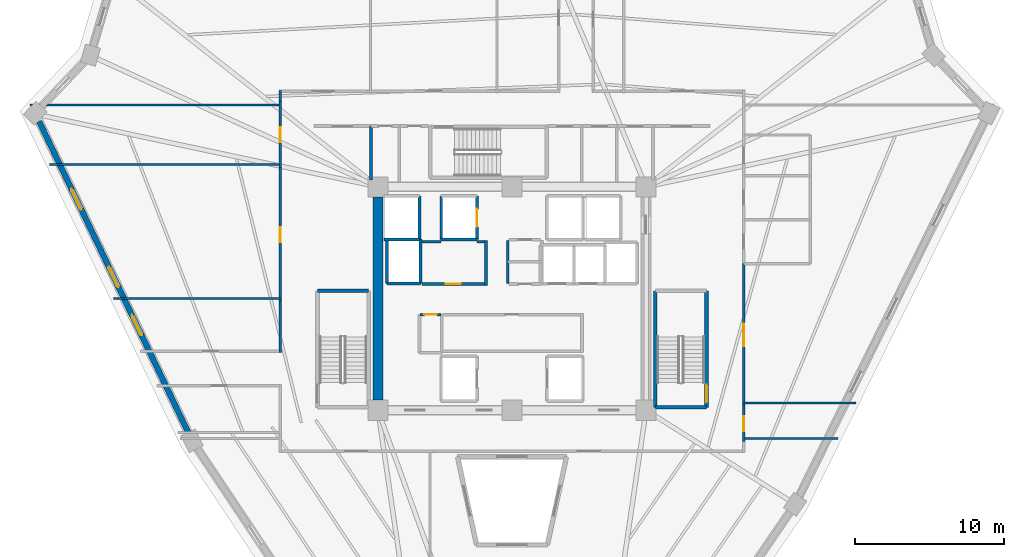
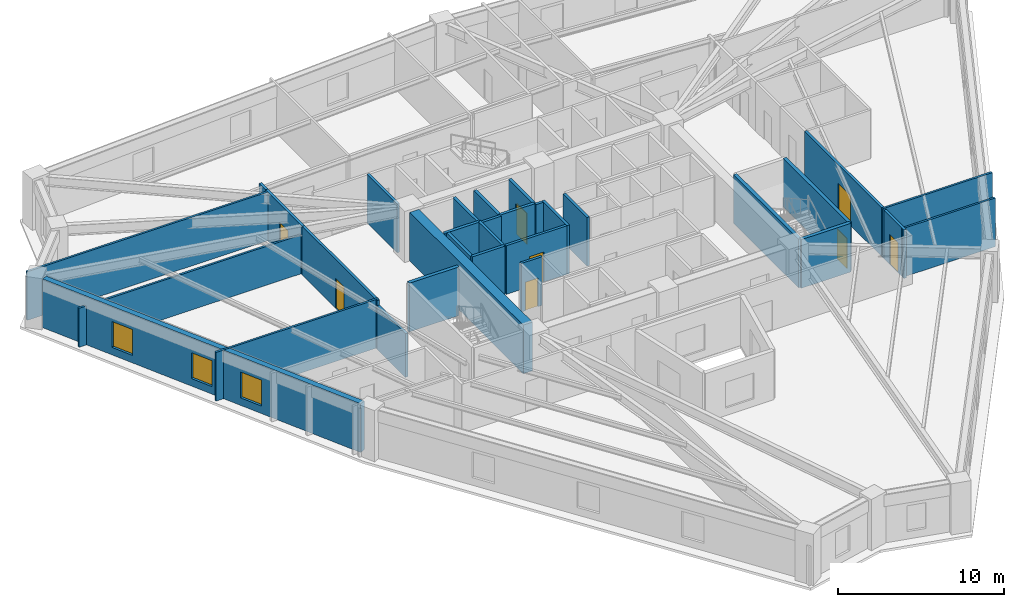
# One storey, part 4 of 8: 32 walls, 8 doors, 3 windows, 11 openings.
"""IFC4 building model written with IfcOpenShell, lengths in metres."""

from ifc_helpers import new_model, si_unit, direction, frame, frame_2d, origin, place, context, subcontext, project, spatial, rectangle, extrude, source, transform, mapped, material, layer, layer_set, type_object, element, fill, save


model = new_model("IFC4")

# Units and contexts
model_context = context("Model", 3, precision=1e-05, world=origin(), true_north=direction((0.0, 1.0)))
body_context = subcontext(model_context, "Body", "Model", "MODEL_VIEW")
ifc_project = project(units=[si_unit("LENGTHUNIT", "METRE"), si_unit("AREAUNIT", "SQUARE_METRE"), si_unit("VOLUMEUNIT", "CUBIC_METRE"), si_unit("PLANEANGLEUNIT", "RADIAN"), si_unit("MASSUNIT", "GRAM", prefix="KILO")], contexts=[model_context])

# Site, building, storey
site_placement = place(None, origin())
site = spatial("IfcSite", under=ifc_project, at=site_placement, CompositionType="ELEMENT")
building_placement = place(site_placement, origin())
building = spatial("IfcBuilding", under=site, at=building_placement, Name="Liaohun Quay Tower", CompositionType="ELEMENT")
storey_placement = place(building_placement, frame((0.0, 0.0, 255.0)))
storey = spatial("IfcBuildingStorey", under=building, at=storey_placement, Name="L66", CompositionType="ELEMENT", Elevation=255.0)

# Wall
ifc_material_1 = material(Name="Concrete C55", Category="concrete")
ifc_layer_1 = layer(ifc_material_1, 0.64990234375, Name="Concrete C55", Category="concrete")
ifc_layer_set_1 = layer_set([ifc_layer_1], Name="Concrete C55")
wall_type_1 = type_object("IfcWallType", Name="WAL-COR-Z3", PredefinedType="SHEAR", material=ifc_layer_set_1)
wall_1_placement = place(storey_placement, frame((51.0, 47.175048828125, 0.0), z_axis=(0.0, 0.0, 1.0), x_axis=(0.0, 1.0, 0.0)))
element("IfcWall", 1, at=wall_1_placement, inside=storey, type_object=wall_type_1, Name="L66 Central Core Shear Wall W", PredefinedType="SHEAR", context=body_context, shape_type="SweptSolid", body=[
    extrude(rectangle(XDim=13.64990234375, YDim=0.64990234375, at=frame_2d((6.824951171875, 0.0))), origin(), (0.0, 0.0, 1.0), 3.570068359375),
])

# Wall, openings, windows
ifc_material_2 = material(Name="Precast concrete C50 insulated sandwich", Category="concrete")
ifc_layer_2 = layer(ifc_material_2, 0.3798828125, Name="Precast concrete C50 insulated sandwich", Category="concrete")
ifc_layer_set_2 = layer_set([ifc_layer_2], Name="Precast concrete C50 insulated sandwich")
wall_type_2 = type_object("IfcWallType", Name="WAL-EXT-Z34", PredefinedType="SOLIDWALL", material=ifc_layer_set_2)
wall_2_placement = place(storey_placement, frame((28.256103515625, 65.885986328125, 0.0), z_axis=(0.0, 0.0, 1.0), x_axis=(0.432167516052, -0.901793345545, 0.0)))
wall_2 = element("IfcWall", 2, at=wall_2_placement, inside=storey, type_object=wall_type_2, Name="L66 Brutalist Precast Pier Wall 10", PredefinedType="SOLIDWALL", context=body_context, shape_type="SweptSolid", body=[
    extrude(rectangle(XDim=23.1572265625, YDim=0.3798828125, at=frame_2d((11.57861328125, 0.0))), origin(), (0.0, 0.0, 1.0), 3.570068359375),
])
shared_shape_1 = source(origin(), body_context, "Body", "SweptSolid", [
    extrude(rectangle(XDim=1.5, YDim=1.89990234375, at=frame_2d((0.75, 0.949951171875))), frame((0.0, 0.199951171875, 0.0), z_axis=(0.0, -1.0, 0.0), x_axis=(1.0, 0.0, 0.0)), (0.0, 0.0, 1.0), 0.39990234375),
])
opening_1_placement = place(wall_2_placement, frame((5.0390625, 0.0, 0.550048828125)))
opening_1 = element("IfcOpeningElement", 3, at=opening_1_placement, cuts=wall_2, Name="Opening W03", PredefinedType="OPENING", context=body_context, shape_type="MappedRepresentation", body=[
    mapped(shared_shape_1, transform((0.0, 0.0, 0.0), x_axis=(1.0, 0.0, 0.0), y_axis=(0.0, 1.0, 0.0), z_axis=(0.0, 0.0, 1.0), scale=1.0)),
])
opening_2_placement = place(wall_2_placement, frame((10.8291015625, 0.0, 0.550048828125)))
opening_2 = element("IfcOpeningElement", 4, at=opening_2_placement, cuts=wall_2, Name="Opening W03", PredefinedType="OPENING", context=body_context, shape_type="MappedRepresentation", body=[
    mapped(shared_shape_1, transform((0.0, 0.0, 0.0), x_axis=(1.0, 0.0, 0.0), y_axis=(0.0, 1.0, 0.0), z_axis=(0.0, 0.0, 1.0), scale=1.0)),
])
opening_3_placement = place(wall_2_placement, frame((14.41796875, 0.0, 0.550048828125)))
opening_3 = element("IfcOpeningElement", 5, at=opening_3_placement, cuts=wall_2, Name="Opening W03", PredefinedType="OPENING", context=body_context, shape_type="MappedRepresentation", body=[
    mapped(shared_shape_1, transform((0.0, 0.0, 0.0), x_axis=(1.0, 0.0, 0.0), y_axis=(0.0, 1.0, 0.0), z_axis=(0.0, 0.0, 1.0), scale=1.0)),
])
ifc_material_3 = material(Name="Triple Low-E argon glazing in thermally broken aluminium", Category="aluminium")
window_type = type_object("IfcWindowType", Name="WIN-PUN-Z3", PartitioningType="DOUBLE_PANEL_VERTICAL", PredefinedType="WINDOW", material=ifc_material_3)
shared_shape_2 = source(origin(), body_context, "Body", "SweptSolid", [
    extrude(rectangle(XDim=1.5, YDim=1.89990234375, at=frame_2d((0.75, 0.949951171875))), frame((0.0, 0.030029296875, 0.0), z_axis=(0.0, -1.0, 0.0), x_axis=(1.0, 0.0, 0.0)), (0.0, 0.0, 1.0), 0.06005859375),
])
window_1_placement = place(opening_1_placement, origin())
window_1 = element("IfcWindow", 6, at=window_1_placement, inside=storey, type_object=window_type, Name="L66 Recessed Cold-Climate Punched Window 10-1", OverallHeight=1.89990234375, OverallWidth=1.5, PartitioningType="DOUBLE_PANEL_VERTICAL", PredefinedType="WINDOW", context=body_context, shape_type="MappedRepresentation", body=[
    mapped(shared_shape_2, transform((0.0, 0.0, 0.0), x_axis=(1.0, 0.0, 0.0), y_axis=(0.0, 1.0, 0.0), z_axis=(0.0, 0.0, 1.0), scale=1.0)),
])
fill(opening_1, window_1)
window_2_placement = place(opening_2_placement, origin())
window_2 = element("IfcWindow", 7, at=window_2_placement, inside=storey, type_object=window_type, Name="L66 Recessed Cold-Climate Punched Window 10-2", OverallHeight=1.89990234375, OverallWidth=1.5, PartitioningType="DOUBLE_PANEL_VERTICAL", PredefinedType="WINDOW", context=body_context, shape_type="MappedRepresentation", body=[
    mapped(shared_shape_2, transform((0.0, 0.0, 0.0), x_axis=(1.0, 0.0, 0.0), y_axis=(0.0, 1.0, 0.0), z_axis=(0.0, 0.0, 1.0), scale=1.0)),
])
fill(opening_2, window_2)
window_3_placement = place(opening_3_placement, origin())
window_3 = element("IfcWindow", 8, at=window_3_placement, inside=storey, type_object=window_type, Name="L66 Recessed Cold-Climate Punched Window 10-3", OverallHeight=1.89990234375, OverallWidth=1.5, PartitioningType="DOUBLE_PANEL_VERTICAL", PredefinedType="WINDOW", context=body_context, shape_type="MappedRepresentation", body=[
    mapped(shared_shape_2, transform((0.0, 0.0, 0.0), x_axis=(1.0, 0.0, 0.0), y_axis=(0.0, 1.0, 0.0), z_axis=(0.0, 0.0, 1.0), scale=1.0)),
])
fill(opening_3, window_3)

# Wall, opening, door
ifc_material_4 = material(Name="Autoclaved aerated concrete blockwork", Category="masonry")
ifc_layer_3 = layer(ifc_material_4, 0.179931640625, Name="Autoclaved aerated concrete blockwork", Category="masonry")
ifc_layer_set_3 = layer_set([ifc_layer_3], Name="Autoclaved aerated concrete blockwork")
wall_type_3 = type_object("IfcWallType", Name="WAL-PRT-COR", PredefinedType="PARTITIONING", material=ifc_layer_set_3)
wall_3_placement = place(storey_placement, frame((53.949951171875, 54.97998046875, 0.0), z_axis=(0.0, 0.0, 1.0), x_axis=(1.0, 0.0, 0.0)))
wall_3 = element("IfcWall", 9, at=wall_3_placement, inside=storey, type_object=wall_type_3, Name="L66 Interior Partition Wall 002", PredefinedType="PARTITIONING", context=body_context, shape_type="SweptSolid", body=[
    extrude(rectangle(XDim=4.2099609375, YDim=0.179931640625, at=frame_2d((2.10498046875, 0.0))), origin(), (0.0, 0.0, 1.0), 3.570068359375),
])
shared_shape_3 = source(origin(), body_context, "Body", "SweptSolid", [
    extrude(rectangle(XDim=1.0, YDim=2.199951171875, at=frame_2d((0.5, 1.10009765625))), frame((0.0, 0.099853515625, 0.0), z_axis=(0.0, -1.0, 0.0), x_axis=(1.0, 0.0, 0.0)), (0.0, 0.0, 1.0), 0.199951171875),
])
opening_4_placement = place(wall_3_placement, frame((1.60009765625, 0.0, 0.0)))
opening_4 = element("IfcOpeningElement", 10, at=opening_4_placement, cuts=wall_3, Name="Opening OD1", PredefinedType="OPENING", context=body_context, shape_type="MappedRepresentation", body=[
    mapped(shared_shape_3, transform((0.0, 0.0, 0.0), x_axis=(1.0, 0.0, 0.0), y_axis=(0.0, 1.0, 0.0), z_axis=(0.0, 0.0, 1.0), scale=1.0)),
])
ifc_material_5 = material(Name="Solid-core oak veneer timber leaf in steel frame", Category="steel")
door_type_1 = type_object("IfcDoorType", Name="DOR-OFF-1000", OperationType="NOTDEFINED", PredefinedType="DOOR", material=ifc_material_5)
shared_shape_4 = source(origin(), body_context, "Body", "SweptSolid", [
    extrude(rectangle(XDim=1.0, YDim=2.199951171875, at=frame_2d((0.5, 1.10009765625))), frame((0.0, 0.02490234375, 0.0), z_axis=(0.0, -1.0, 0.0), x_axis=(1.0, 0.0, 0.0)), (0.0, 0.0, 1.0), 0.050048828125),
])
door_1_placement = place(opening_4_placement, origin())
door_1 = element("IfcDoor", 11, at=door_1_placement, inside=storey, type_object=door_type_1, Name="L66 Core Staff Pantry and Tea Room Door", OperationType="SINGLE_SWING_RIGHT", OverallHeight=2.199951171875, OverallWidth=1.0, PredefinedType="DOOR", context=body_context, shape_type="MappedRepresentation", body=[
    mapped(shared_shape_4, transform((0.0, 0.0, 0.0), x_axis=(1.0, 0.0, 0.0), y_axis=(0.0, 1.0, 0.0), z_axis=(0.0, 0.0, 1.0), scale=1.0)),
])
fill(opening_4, door_1)

wall_4_placement = place(storey_placement, frame((53.820068359375, 52.919921875, 0.0), z_axis=(0.0, 0.0, 1.0), x_axis=(1.0, 0.0, 0.0)))
wall_4 = element("IfcWall", 12, at=wall_4_placement, inside=storey, type_object=wall_type_3, Name="L66 Interior Partition Wall 005", PredefinedType="PARTITIONING", context=body_context, shape_type="SweptSolid", body=[
    extrude(rectangle(XDim=1.429931640625, YDim=0.179931640625, at=frame_2d((0.71484375, 0.0))), origin(), (0.0, 0.0, 1.0), 3.570068359375),
])
shared_shape_5 = source(origin(), body_context, "Body", "SweptSolid", [
    extrude(rectangle(XDim=0.85009765625, YDim=2.10009765625, at=frame_2d((0.425048828125, 1.050048828125))), frame((0.0, 0.099853515625, 0.0), z_axis=(0.0, -1.0, 0.0), x_axis=(1.0, 0.0, 0.0)), (0.0, 0.0, 1.0), 0.199951171875),
])
opening_5_placement = place(wall_4_placement, frame((0.2900390625, 0.0, 0.0)))
opening_5 = element("IfcOpeningElement", 13, at=opening_5_placement, cuts=wall_4, Name="Opening AD1", PredefinedType="OPENING", context=body_context, shape_type="MappedRepresentation", body=[
    mapped(shared_shape_5, transform((0.0, 0.0, 0.0), x_axis=(1.0, 0.0, 0.0), y_axis=(0.0, 1.0, 0.0), z_axis=(0.0, 0.0, 1.0), scale=1.0)),
])
ifc_material_6 = material(Name="Steel riser inspection fire door", Category="steel")
door_type_2 = type_object("IfcDoorType", Name="DOR-SHF-850", OperationType="NOTDEFINED", PredefinedType="DOOR", material=ifc_material_6)
shared_shape_6 = source(origin(), body_context, "Body", "SweptSolid", [
    extrude(rectangle(XDim=0.85009765625, YDim=2.10009765625, at=frame_2d((0.425048828125, 1.050048828125))), frame((0.0, 0.02490234375, 0.0), z_axis=(0.0, -1.0, 0.0), x_axis=(1.0, 0.0, 0.0)), (0.0, 0.0, 1.0), 0.050048828125),
])
door_2_placement = place(opening_5_placement, origin())
door_2 = element("IfcDoor", 14, at=door_2_placement, inside=storey, type_object=door_type_2, Name="L66 Core Fire Hose and Riser Closet Door", OperationType="SINGLE_SWING_LEFT", OverallHeight=2.10009765625, OverallWidth=0.85009765625, PredefinedType="DOOR", context=body_context, shape_type="MappedRepresentation", body=[
    mapped(shared_shape_6, transform((0.0, 0.0, 0.0), x_axis=(1.0, 0.0, 0.0), y_axis=(0.0, 1.0, 0.0), z_axis=(0.0, 0.0, 1.0), scale=1.0)),
])
fill(opening_5, door_2)

wall_5_placement = place(storey_placement, frame((75.56005859375, 56.340087890625, 0.0), z_axis=(0.0, 0.0, 1.0), x_axis=(0.0, -1.0, 0.0)))
wall_5 = element("IfcWall", 15, at=wall_5_placement, inside=storey, type_object=wall_type_3, Name="L66 Interior Partition Wall 016", PredefinedType="PARTITIONING", context=body_context, shape_type="SweptSolid", body=[
    extrude(rectangle(XDim=9.55517578125, YDim=0.179931640625, at=frame_2d((4.777587890625, 0.0))), origin(), (0.0, 0.0, 1.0), 3.570068359375),
])
shared_shape_7 = source(origin(), body_context, "Body", "SweptSolid", [
    extrude(rectangle(XDim=1.5, YDim=2.199951171875, at=frame_2d((0.75, 1.10009765625))), frame((0.0, 0.099853515625, 0.0), z_axis=(0.0, -1.0, 0.0), x_axis=(1.0, 0.0, 0.0)), (0.0, 0.0, 1.0), 0.199951171875),
])
opening_6_placement = place(wall_5_placement, frame((4.028076171875, 0.0, 0.0)))
opening_6 = element("IfcOpeningElement", 16, at=opening_6_placement, cuts=wall_5, Name="Opening OD2", PredefinedType="OPENING", context=body_context, shape_type="MappedRepresentation", body=[
    mapped(shared_shape_7, transform((0.0, 0.0, 0.0), x_axis=(1.0, 0.0, 0.0), y_axis=(0.0, 1.0, 0.0), z_axis=(0.0, 0.0, 1.0), scale=1.0)),
])
ifc_material_7 = material(Name="Acoustic oak veneer double door")
door_type_3 = type_object("IfcDoorType", Name="DOR-OFF-1500", OperationType="DOUBLE_DOOR_SINGLE_SWING", PredefinedType="DOOR", material=ifc_material_7)
shared_shape_8 = source(origin(), body_context, "Body", "SweptSolid", [
    extrude(rectangle(XDim=1.5, YDim=2.199951171875, at=frame_2d((0.75, 1.10009765625))), frame((0.0, 0.02490234375, 0.0), z_axis=(0.0, -1.0, 0.0), x_axis=(1.0, 0.0, 0.0)), (0.0, 0.0, 1.0), 0.050048828125),
])
door_3_placement = place(opening_6_placement, origin())
door_3 = element("IfcDoor", 17, at=door_3_placement, inside=storey, type_object=door_type_3, Name="L66 Digital Prototyping Laboratory 01 Door", OperationType="DOUBLE_DOOR_SINGLE_SWING", OverallHeight=2.199951171875, OverallWidth=1.5, PredefinedType="DOOR", context=body_context, shape_type="MappedRepresentation", body=[
    mapped(shared_shape_8, transform((0.0, 0.0, 0.0), x_axis=(1.0, 0.0, 0.0), y_axis=(0.0, 1.0, 0.0), z_axis=(0.0, 0.0, 1.0), scale=1.0)),
])
fill(opening_6, door_3)

wall_6_placement = place(storey_placement, frame((44.43994140625, 62.784912109375, 0.0), z_axis=(0.0, 0.0, 1.0), x_axis=(0.0, 1.0, 0.0)))
wall_6 = element("IfcWall", 18, at=wall_6_placement, inside=storey, type_object=wall_type_3, Name="L66 Interior Partition Wall 022", PredefinedType="PARTITIONING", context=body_context, shape_type="SweptSolid", body=[
    extrude(rectangle(XDim=4.43017578125, YDim=0.179931640625, at=frame_2d((2.215087890625, 0.0))), origin(), (0.0, 0.0, 1.0), 3.570068359375),
])
opening_7_placement = place(wall_6_placement, frame((1.715087890625, 0.0, 0.0)))
opening_7 = element("IfcOpeningElement", 19, at=opening_7_placement, cuts=wall_6, Name="Opening OD1", PredefinedType="OPENING", context=body_context, shape_type="MappedRepresentation", body=[
    mapped(shared_shape_3, transform((0.0, 0.0, 0.0), x_axis=(1.0, 0.0, 0.0), y_axis=(0.0, 1.0, 0.0), z_axis=(0.0, 0.0, 1.0), scale=1.0)),
])
door_4_placement = place(opening_7_placement, origin())
door_4 = element("IfcDoor", 20, at=door_4_placement, inside=storey, type_object=door_type_1, Name="L66 Digital Prototyping Laboratory 07 Door", OperationType="SINGLE_SWING_RIGHT", OverallHeight=2.199951171875, OverallWidth=1.0, PredefinedType="DOOR", context=body_context, shape_type="MappedRepresentation", body=[
    mapped(shared_shape_4, transform((0.0, 0.0, 0.0), x_axis=(1.0, 0.0, 0.0), y_axis=(0.0, 1.0, 0.0), z_axis=(0.0, 0.0, 1.0), scale=1.0)),
])
fill(opening_7, door_4)

wall_7_placement = place(storey_placement, frame((44.43994140625, 53.784912109375, 0.0), z_axis=(0.0, 0.0, 1.0), x_axis=(0.0, 1.0, 0.0)))
wall_7 = element("IfcWall", 21, at=wall_7_placement, inside=storey, type_object=wall_type_3, Name="L66 Interior Partition Wall 023", PredefinedType="PARTITIONING", context=body_context, shape_type="SweptSolid", body=[
    extrude(rectangle(XDim=9.0, YDim=0.179931640625, at=frame_2d((4.5, 0.0))), origin(), (0.0, 0.0, 1.0), 3.570068359375),
])
opening_8_placement = place(wall_7_placement, frame((4.0, 0.0, 0.0)))
opening_8 = element("IfcOpeningElement", 22, at=opening_8_placement, cuts=wall_7, Name="Opening OD1", PredefinedType="OPENING", context=body_context, shape_type="MappedRepresentation", body=[
    mapped(shared_shape_3, transform((0.0, 0.0, 0.0), x_axis=(1.0, 0.0, 0.0), y_axis=(0.0, 1.0, 0.0), z_axis=(0.0, 0.0, 1.0), scale=1.0)),
])
door_5_placement = place(opening_8_placement, origin())
door_5 = element("IfcDoor", 23, at=door_5_placement, inside=storey, type_object=door_type_1, Name="L66 Occupational Wellness Clinic 08 Door", OperationType="SINGLE_SWING_LEFT", OverallHeight=2.199951171875, OverallWidth=1.0, PredefinedType="DOOR", context=body_context, shape_type="MappedRepresentation", body=[
    mapped(shared_shape_4, transform((0.0, 0.0, 0.0), x_axis=(1.0, 0.0, 0.0), y_axis=(0.0, 1.0, 0.0), z_axis=(0.0, 0.0, 1.0), scale=1.0)),
])
fill(opening_8, door_5)

wall_8_placement = place(storey_placement, frame((75.56005859375, 46.784912109375, 0.0), z_axis=(0.0, 0.0, 1.0), x_axis=(0.0, -1.0, 0.0)))
wall_8 = element("IfcWall", 24, at=wall_8_placement, inside=storey, type_object=wall_type_3, Name="L66 Interior Partition Wall 028", PredefinedType="PARTITIONING", context=body_context, shape_type="SweptSolid", body=[
    extrude(rectangle(XDim=2.39990234375, YDim=0.179931640625, at=frame_2d((1.199951171875, 0.0))), origin(), (0.0, 0.0, 1.0), 3.570068359375),
])
opening_9_placement = place(wall_8_placement, frame((0.699951171875, 0.0, 0.0)))
opening_9 = element("IfcOpeningElement", 25, at=opening_9_placement, cuts=wall_8, Name="Opening OD1", PredefinedType="OPENING", context=body_context, shape_type="MappedRepresentation", body=[
    mapped(shared_shape_3, transform((0.0, 0.0, 0.0), x_axis=(1.0, 0.0, 0.0), y_axis=(0.0, 1.0, 0.0), z_axis=(0.0, 0.0, 1.0), scale=1.0)),
])
door_6_placement = place(opening_9_placement, origin())
door_6 = element("IfcDoor", 26, at=door_6_placement, inside=storey, type_object=door_type_1, Name="L66 Regional Advisory Office 13 Door", OperationType="SINGLE_SWING_RIGHT", OverallHeight=2.199951171875, OverallWidth=1.0, PredefinedType="DOOR", context=body_context, shape_type="MappedRepresentation", body=[
    mapped(shared_shape_4, transform((0.0, 0.0, 0.0), x_axis=(1.0, 0.0, 0.0), y_axis=(0.0, 1.0, 0.0), z_axis=(0.0, 0.0, 1.0), scale=1.0)),
])
fill(opening_9, door_6)

# Walls
wall_9_placement = place(storey_placement, frame((59.719970703125, 55.02001953125, 0.0), z_axis=(0.0, 0.0, 1.0), x_axis=(0.0, 1.0, 0.0)))
element("IfcWall", 27, at=wall_9_placement, inside=storey, type_object=wall_type_3, Name="L66 Interior Partition Wall 029", PredefinedType="PARTITIONING", context=body_context, shape_type="SweptSolid", body=[
    extrude(rectangle(XDim=2.8798828125, YDim=0.179931640625, at=frame_2d((1.43994140625, 0.0))), origin(), (0.0, 0.0, 1.0), 3.570068359375),
])
wall_10_placement = place(storey_placement, frame((50.5400390625, 61.949951171875, 0.0), z_axis=(0.0, 0.0, 1.0), x_axis=(0.0, 1.0, 0.0)))
element("IfcWall", 28, at=wall_10_placement, inside=storey, type_object=wall_type_3, Name="L66 Interior Partition Wall 040", PredefinedType="PARTITIONING", context=body_context, shape_type="SweptSolid", body=[
    extrude(rectangle(XDim=3.630126953125, YDim=0.179931640625, at=frame_2d((1.81494140625, 0.0))), origin(), (0.0, 0.0, 1.0), 3.570068359375),
])
wall_11_placement = place(storey_placement, frame((44.43994140625, 67.215087890625, 0.0), z_axis=(0.0, 0.0, 1.0), x_axis=(0.0, 1.0, 0.0)))
element("IfcWall", 29, at=wall_11_placement, inside=storey, type_object=wall_type_3, Name="L66 Interior Partition Wall 049", PredefinedType="PARTITIONING", context=body_context, shape_type="SweptSolid", body=[
    extrude(rectangle(XDim=0.764892578125, YDim=0.179931640625, at=frame_2d((0.38232421875, 0.0))), origin(), (0.0, 0.0, 1.0), 3.570068359375),
])
wall_12_placement = place(storey_placement, frame((44.43994140625, 50.389892578125, 0.0), z_axis=(0.0, 0.0, 1.0), x_axis=(0.0, 1.0, 0.0)))
element("IfcWall", 30, at=wall_12_placement, inside=storey, type_object=wall_type_3, Name="L66 Interior Partition Wall 050", PredefinedType="PARTITIONING", context=body_context, shape_type="SweptSolid", body=[
    extrude(rectangle(XDim=3.39501953125, YDim=0.179931640625, at=frame_2d((1.697509765625, 0.0))), origin(), (0.0, 0.0, 1.0), 3.205078125),
])
wall_13_placement = place(storey_placement, frame((58.25, 54.889892578125, 0.0), z_axis=(0.0, 0.0, 1.0), x_axis=(0.0, 1.0, 0.0)))
element("IfcWall", 31, at=wall_13_placement, inside=storey, type_object=wall_type_3, Name="L66 Interior Partition Wall 068", PredefinedType="PARTITIONING", context=body_context, shape_type="SweptSolid", body=[
    extrude(rectangle(XDim=3.02001953125, YDim=0.179931640625, at=frame_2d((1.510009765625, 0.0))), origin(), (0.0, 0.0, 1.0), 3.570068359375),
])
wall_14_placement = place(storey_placement, frame((53.949951171875, 57.820068359375, 0.0), z_axis=(0.0, 0.0, 1.0), x_axis=(1.0, 0.0, 0.0)))
element("IfcWall", 32, at=wall_14_placement, inside=storey, type_object=wall_type_3, Name="L66 Interior Partition Wall 069", PredefinedType="PARTITIONING", context=body_context, shape_type="SweptSolid", body=[
    extrude(rectangle(XDim=1.300048828125, YDim=0.179931640625, at=frame_2d((0.64990234375, 0.0))), origin(), (0.0, 0.0, 1.0), 3.570068359375),
])
wall_15_placement = place(storey_placement, frame((57.64990234375, 57.820068359375, 0.0), z_axis=(0.0, 0.0, 1.0), x_axis=(1.0, 0.0, 0.0)))
element("IfcWall", 33, at=wall_15_placement, inside=storey, type_object=wall_type_3, Name="L66 Interior Partition Wall 070", PredefinedType="PARTITIONING", context=body_context, shape_type="SweptSolid", body=[
    extrude(rectangle(XDim=0.510009765625, YDim=0.179931640625, at=frame_2d((0.2548828125, 0.0))), origin(), (0.0, 0.0, 1.0), 3.570068359375),
])
ifc_material_8 = material(Name="Gypsum board on twin steel studs", Category="steel")
ifc_layer_4 = layer(ifc_material_8, 0.139892578125, Name="Gypsum board on twin steel studs", Category="steel")
ifc_layer_set_4 = layer_set([ifc_layer_4], Name="Gypsum board on twin steel studs")
wall_type_4 = type_object("IfcWallType", Name="WAL-PRT-OFF", PredefinedType="PARTITIONING", material=ifc_layer_set_4)
wall_16_placement = place(storey_placement, frame((44.5400390625, 54.0, 0.0), z_axis=(0.0, 0.0, 1.0), x_axis=(-1.0, 0.0, 0.0)))
element("IfcWall", 34, at=wall_16_placement, inside=storey, type_object=wall_type_4, Name="L66 Interior Partition Wall 056", PredefinedType="PARTITIONING", context=body_context, shape_type="SweptSolid", body=[
    extrude(rectangle(XDim=11.287109375, YDim=0.139892578125, at=frame_2d((5.6435546875, 0.0))), origin(), (0.0, 0.0, 1.0), 3.570068359375),
])
wall_17_placement = place(storey_placement, frame((44.5400390625, 63.0, 0.0), z_axis=(0.0, 0.0, 1.0), x_axis=(-1.0, 0.0, 0.0)))
element("IfcWall", 35, at=wall_17_placement, inside=storey, type_object=wall_type_4, Name="L66 Interior Partition Wall 057", PredefinedType="PARTITIONING", context=body_context, shape_type="SweptSolid", body=[
    extrude(rectangle(XDim=15.60009765625, YDim=0.139892578125, at=frame_2d((7.800048828125, 0.0))), origin(), (0.0, 0.0, 1.0), 2.85498046875),
])
wall_18_placement = place(storey_placement, frame((44.5400390625, 67.0, 0.0), z_axis=(0.0, 0.0, 1.0), x_axis=(-1.0, 0.0, 0.0)))
element("IfcWall", 36, at=wall_18_placement, inside=storey, type_object=wall_type_4, Name="L66 Interior Partition Wall 058", PredefinedType="PARTITIONING", context=body_context, shape_type="SweptSolid", body=[
    extrude(rectangle(XDim=16.887939453125, YDim=0.139892578125, at=frame_2d((8.44384765625, 0.0))), origin(), (0.0, 0.0, 1.0), 3.570068359375),
])
wall_19_placement = place(storey_placement, frame((75.4599609375, 44.60009765625, 0.0), z_axis=(0.0, 0.0, 1.0), x_axis=(1.0, 0.0, 0.0)))
element("IfcWall", 37, at=wall_19_placement, inside=storey, type_object=wall_type_4, Name="L66 Interior Partition Wall 059", PredefinedType="PARTITIONING", context=body_context, shape_type="SweptSolid", body=[
    extrude(rectangle(XDim=6.43701171875, YDim=0.139892578125, at=frame_2d((3.218505859375, 0.0))), origin(), (0.0, 0.0, 1.0), 3.570068359375),
])
wall_20_placement = place(storey_placement, frame((75.4599609375, 47.0, 0.0), z_axis=(0.0, 0.0, 1.0), x_axis=(1.0, 0.0, 0.0)))
element("IfcWall", 38, at=wall_20_placement, inside=storey, type_object=wall_type_4, Name="L66 Interior Partition Wall 060", PredefinedType="PARTITIONING", context=body_context, shape_type="SweptSolid", body=[
    extrude(rectangle(XDim=7.625, YDim=0.139892578125, at=frame_2d((3.8125, 0.0))), origin(), (0.0, 0.0, 1.0), 3.570068359375),
])
ifc_material_9 = material(Name="Concrete C50", Category="concrete")
ifc_layer_5 = layer(ifc_material_9, 0.239990234375, Name="Concrete C50", Category="concrete")
ifc_layer_set_5 = layer_set([ifc_layer_5], Name="Concrete C50")
wall_type_5 = type_object("IfcWallType", Name="WAL-SHF-200", PredefinedType="SOLIDWALL", material=ifc_layer_set_5)
for number, where, z_axis, x_axis, name in (
    (39, (50.3798828125, 54.52001953125, 0.0), (0.0, 0.0, 1.0), (-1.0, 0.0, 0.0), "L66 Stairwell ST-1 Structural Core Wall N"),
    (40, (69.6201171875, 46.699951171875, 0.0), (0.0, 0.0, 1.0), (1.0, 0.0, 0.0), "L66 Stairwell ST-2 Structural Core Wall S"),
):
    element("IfcWall", number, at=place(storey_placement, frame(where, z_axis=z_axis, x_axis=x_axis)), inside=storey, type_object=wall_type_5, Name=name, PredefinedType="SOLIDWALL", context=body_context, shape_type="SweptSolid", body=[
        extrude(rectangle(XDim=3.43994140625, YDim=0.239990234375, at=frame_2d((1.719970703125, 0.0))), origin(), (0.0, 0.0, 1.0), 3.570068359375),
    ])

# Wall, opening, door
wall_21_placement = place(storey_placement, frame((73.06005859375, 46.699951171875, 0.0), z_axis=(0.0, 0.0, 1.0), x_axis=(0.0, 1.0, 0.0)))
wall_21 = element("IfcWall", 41, at=wall_21_placement, inside=storey, type_object=wall_type_5, Name="L66 Stairwell ST-2 Structural Core Wall E", PredefinedType="SOLIDWALL", context=body_context, shape_type="SweptSolid", body=[
    extrude(rectangle(XDim=7.820068359375, YDim=0.239990234375, at=frame_2d((3.91015625, 0.0))), origin(), (0.0, 0.0, 1.0), 3.570068359375),
])
shared_shape_9 = source(origin(), body_context, "Body", "SweptSolid", [
    extrude(rectangle(XDim=1.199951171875, YDim=2.199951171875, at=frame_2d((0.60009765625, 1.10009765625))), frame((0.0, 0.1298828125, 0.0), z_axis=(0.0, -1.0, 0.0), x_axis=(1.0, 0.0, 0.0)), (0.0, 0.0, 1.0), 0.260009765625),
])
opening_10_placement = place(wall_21_placement, frame((0.320068359375, 0.0, 0.0)))
opening_10 = element("IfcOpeningElement", 42, at=opening_10_placement, cuts=wall_21, Name="Opening SD1", PredefinedType="OPENING", context=body_context, shape_type="MappedRepresentation", body=[
    mapped(shared_shape_9, transform((0.0, 0.0, 0.0), x_axis=(1.0, 0.0, 0.0), y_axis=(0.0, 1.0, 0.0), z_axis=(0.0, 0.0, 1.0), scale=1.0)),
])
ifc_material_10 = material(Name="Galvanised steel fire door", Category="steel")
door_type_4 = type_object("IfcDoorType", Name="DOR-STR-1200", OperationType="NOTDEFINED", PredefinedType="DOOR", material=ifc_material_10)
shared_shape_10 = source(origin(), body_context, "Body", "SweptSolid", [
    extrude(rectangle(XDim=1.199951171875, YDim=2.199951171875, at=frame_2d((0.60009765625, 1.10009765625))), frame((0.0, 0.02490234375, 0.0), z_axis=(0.0, -1.0, 0.0), x_axis=(1.0, 0.0, 0.0)), (0.0, 0.0, 1.0), 0.050048828125),
])
door_7_placement = place(opening_10_placement, origin())
door_7 = element("IfcDoor", 43, at=door_7_placement, inside=storey, type_object=door_type_4, Name="L66 Protected Stair ST-2 Fire Door", OperationType="SINGLE_SWING_RIGHT", OverallHeight=2.199951171875, OverallWidth=1.199951171875, PredefinedType="DOOR", context=body_context, shape_type="MappedRepresentation", body=[
    mapped(shared_shape_10, transform((0.0, 0.0, 0.0), x_axis=(1.0, 0.0, 0.0), y_axis=(0.0, 1.0, 0.0), z_axis=(0.0, 0.0, 1.0), scale=1.0)),
])
fill(opening_10, door_7)

# Walls
wall_22_placement = place(storey_placement, frame((69.6201171875, 54.52001953125, 0.0), z_axis=(0.0, 0.0, 1.0), x_axis=(0.0, -1.0, 0.0)))
element("IfcWall", 44, at=wall_22_placement, inside=storey, type_object=wall_type_5, Name="L66 Stairwell ST-2 Structural Core Wall W", PredefinedType="SOLIDWALL", context=body_context, shape_type="SweptSolid", body=[
    extrude(rectangle(XDim=7.820068359375, YDim=0.239990234375, at=frame_2d((3.91015625, 0.0))), origin(), (0.0, 0.0, 1.0), 3.570068359375),
])
wall_23_placement = place(storey_placement, frame((55.25, 57.949951171875, 0.0), z_axis=(0.0, 0.0, 1.0), x_axis=(1.0, 0.0, 0.0)))
element("IfcWall", 45, at=wall_23_placement, inside=storey, type_object=wall_type_5, Name="L66 Lift FF-03 Hoistway Wall S", PredefinedType="SOLIDWALL", context=body_context, shape_type="SweptSolid", body=[
    extrude(rectangle(XDim=2.39990234375, YDim=0.199951171875, at=frame_2d((1.199951171875, 0.0))), origin(), (0.0, 0.0, 1.0), 3.570068359375),
])

# Wall, opening, door
wall_24_placement = place(storey_placement, frame((57.64990234375, 57.949951171875, 0.0), z_axis=(0.0, 0.0, 1.0), x_axis=(0.0, 1.0, 0.0)))
wall_24 = element("IfcWall", 46, at=wall_24_placement, inside=storey, type_object=wall_type_5, Name="L66 Lift FF-03 Hoistway Wall E", PredefinedType="SOLIDWALL", context=body_context, shape_type="SweptSolid", body=[
    extrude(rectangle(XDim=2.929931640625, YDim=0.199951171875, at=frame_2d((1.46484375, 0.0))), origin(), (0.0, 0.0, 1.0), 3.570068359375),
])
shared_shape_11 = source(origin(), body_context, "Body", "SweptSolid", [
    extrude(rectangle(XDim=1.199951171875, YDim=2.300048828125, at=frame_2d((0.60009765625, 1.14990234375))), frame((0.0, 0.10986328125, 0.0), z_axis=(0.0, -1.0, 0.0), x_axis=(1.0, 0.0, 0.0)), (0.0, 0.0, 1.0), 0.219970703125),
])
opening_11_placement = place(wall_24_placement, frame((0.864990234375, 0.0, 0.0)))
opening_11 = element("IfcOpeningElement", 47, at=opening_11_placement, cuts=wall_24, Name="Opening LD2", PredefinedType="OPENING", context=body_context, shape_type="MappedRepresentation", body=[
    mapped(shared_shape_11, transform((0.0, 0.0, 0.0), x_axis=(1.0, 0.0, 0.0), y_axis=(0.0, 1.0, 0.0), z_axis=(0.0, 0.0, 1.0), scale=1.0)),
])
ifc_material_11 = material(Name="Brushed stainless steel stretcher landing door", Category="steel")
door_type_5 = type_object("IfcDoorType", Name="DOR-LFT-1200", OperationType="SLIDING_TO_LEFT", PredefinedType="DOOR", material=ifc_material_11)
shared_shape_12 = source(origin(), body_context, "Body", "SweptSolid", [
    extrude(rectangle(XDim=1.199951171875, YDim=2.300048828125, at=frame_2d((0.60009765625, 1.14990234375))), frame((0.0, 0.02490234375, 0.0), z_axis=(0.0, -1.0, 0.0), x_axis=(1.0, 0.0, 0.0)), (0.0, 0.0, 1.0), 0.050048828125),
])
door_8_placement = place(opening_11_placement, origin())
door_8 = element("IfcDoor", 48, at=door_8_placement, inside=storey, type_object=door_type_5, Name="L66 Lift FF-03 Sliding Landing Door", OperationType="SLIDING_TO_LEFT", OverallHeight=2.300048828125, OverallWidth=1.199951171875, PredefinedType="DOOR", context=body_context, shape_type="MappedRepresentation", body=[
    mapped(shared_shape_12, transform((0.0, 0.0, 0.0), x_axis=(1.0, 0.0, 0.0), y_axis=(0.0, 1.0, 0.0), z_axis=(0.0, 0.0, 1.0), scale=1.0)),
])
fill(opening_11, door_8)

# Walls
wall_25_placement = place(storey_placement, frame((55.25, 60.8798828125, 0.0), z_axis=(0.0, 0.0, 1.0), x_axis=(0.0, -1.0, 0.0)))
element("IfcWall", 49, at=wall_25_placement, inside=storey, type_object=wall_type_5, Name="L66 Lift FF-03 Hoistway Wall W", PredefinedType="SOLIDWALL", context=body_context, shape_type="SweptSolid", body=[
    extrude(rectangle(XDim=2.929931640625, YDim=0.199951171875, at=frame_2d((1.46484375, 0.0))), origin(), (0.0, 0.0, 1.0), 3.570068359375),
])
wall_26_placement = place(storey_placement, frame((51.39990234375, 57.949951171875, 0.0), z_axis=(0.0, 0.0, 1.0), x_axis=(1.0, 0.0, 0.0)))
element("IfcWall", 50, at=wall_26_placement, inside=storey, type_object=wall_type_5, Name="L66 Lift SH-01 Hoistway Wall S", PredefinedType="SOLIDWALL", context=body_context, shape_type="SweptSolid", body=[
    extrude(rectangle(XDim=2.400146484375, YDim=0.199951171875, at=frame_2d((1.2001953125, 0.0))), origin(), (0.0, 0.0, 1.0), 3.570068359375),
])
wall_27_placement = place(storey_placement, frame((53.800048828125, 57.949951171875, 0.0), z_axis=(0.0, 0.0, 1.0), x_axis=(0.0, 1.0, 0.0)))
element("IfcWall", 51, at=wall_27_placement, inside=storey, type_object=wall_type_5, Name="L66 Lift SH-01 Hoistway Wall E", PredefinedType="SOLIDWALL", context=body_context, shape_type="SweptSolid", body=[
    extrude(rectangle(XDim=2.929931640625, YDim=0.199951171875, at=frame_2d((1.46484375, 0.0))), origin(), (0.0, 0.0, 1.0), 3.570068359375),
])
wall_28_placement = place(storey_placement, frame((51.6201171875, 55.0, 0.0), z_axis=(0.0, 0.0, 1.0), x_axis=(1.0, 0.0, 0.0)))
element("IfcWall", 52, at=wall_28_placement, inside=storey, type_object=wall_type_5, Name="L66 Lift SH-02 Hoistway Wall S", PredefinedType="SOLIDWALL", context=body_context, shape_type="SweptSolid", body=[
    extrude(rectangle(XDim=2.22998046875, YDim=0.199951171875, at=frame_2d((1.114990234375, 0.0))), origin(), (0.0, 0.0, 1.0), 3.570068359375),
])
for number, where, z_axis, x_axis, name in (
    (53, (53.85009765625, 55.0, 0.0), (0.0, 0.0, 1.0), (0.0, 1.0, 0.0), "L66 Lift SH-02 Hoistway Wall E"),
    (54, (51.6201171875, 58.0, 0.0), (0.0, 0.0, 1.0), (0.0, -1.0, 0.0), "L66 Lift SH-02 Hoistway Wall W"),
):
    element("IfcWall", number, at=place(storey_placement, frame(where, z_axis=z_axis, x_axis=x_axis)), inside=storey, type_object=wall_type_5, Name=name, PredefinedType="SOLIDWALL", context=body_context, shape_type="SweptSolid", body=[
        extrude(rectangle(XDim=3.0, YDim=0.199951171875, at=frame_2d((1.5, 0.0))), origin(), (0.0, 0.0, 1.0), 3.570068359375),
    ])

save(model, "model.ifc")
